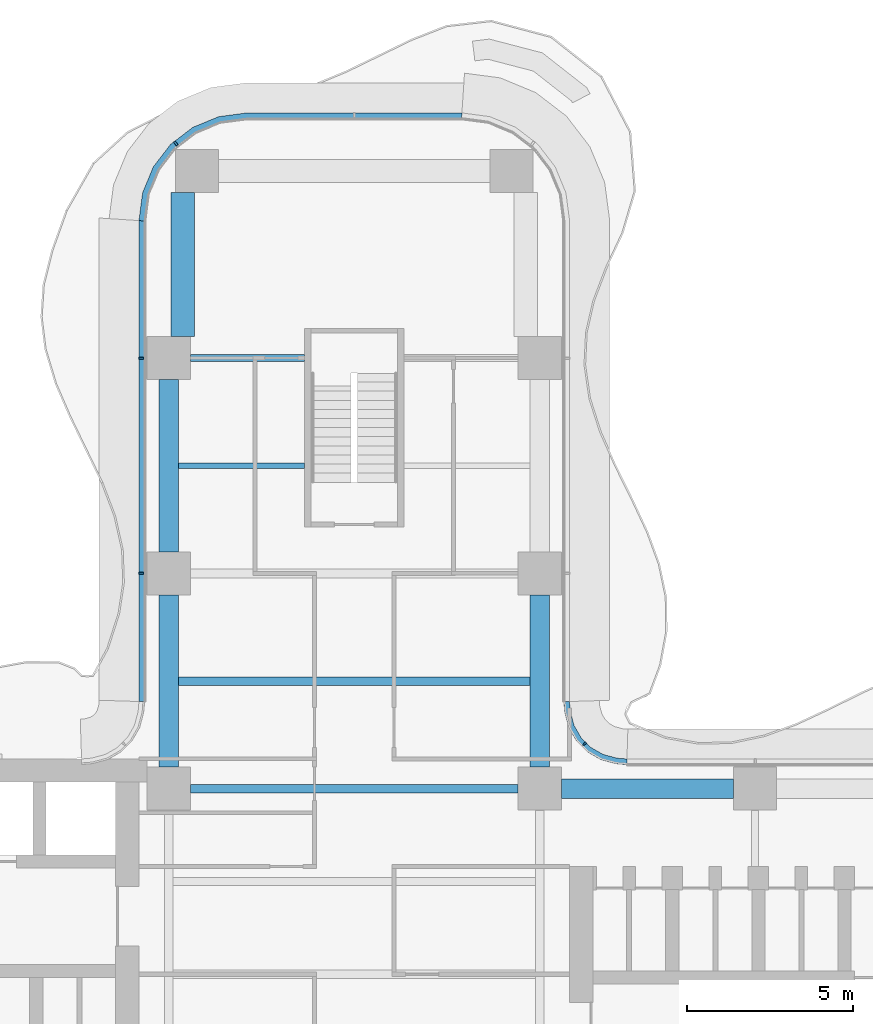
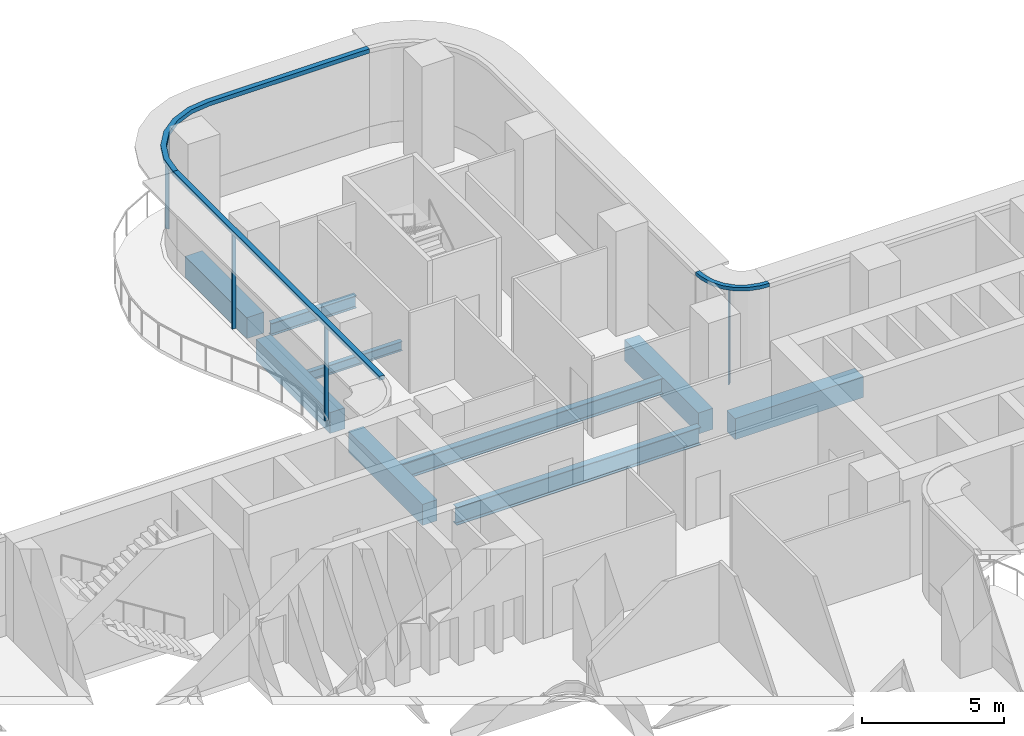
# One storey, part 9 of 21: 9 beams, 7 members, 3 elements without a shape of their own.
"""IFC4 building model written with IfcOpenShell, lengths in metres."""

from ifc_helpers import new_model, si_unit, direction, frame, origin, origin_2d, place, context, subcontext, project, spatial, polyline, rectangle, i_section, outline, extrude, source, transform, mapped, material, layer, layer_set, material_profile, profile_set, type_object, element, aggregate, save


model = new_model("IFC4")

# Units and contexts
model_context = context("Model", 3, precision=1e-05, world=origin(), true_north=direction((0.0, 1.0)))
body_context = subcontext(model_context, "Body", "Model", "MODEL_VIEW")
ifc_project = project(units=[si_unit("LENGTHUNIT", "METRE"), si_unit("AREAUNIT", "SQUARE_METRE"), si_unit("VOLUMEUNIT", "CUBIC_METRE"), si_unit("PLANEANGLEUNIT", "RADIAN"), si_unit("MASSUNIT", "GRAM", prefix="KILO")], contexts=[model_context])

# Site, building, storey
site_placement = place(None, origin())
site = spatial("IfcSite", under=ifc_project, at=site_placement, CompositionType="ELEMENT")
building_placement = place(site_placement, origin())
building = spatial("IfcBuilding", under=site, at=building_placement, Name="Trellis Farm Tower", CompositionType="ELEMENT")
storey_placement = place(building_placement, frame((0.0, 0.0, 115.5)))
storey = spatial("IfcBuildingStorey", under=building, at=storey_placement, Name="L24", CompositionType="ELEMENT", Elevation=115.5)

# Beams
ifc_material_1 = material(Name="Steel S355", Category="steel")
ifc_material_profile_1 = material_profile(ifc_material_1, i_section(OverallWidth=0.177978515625, OverallDepth=0.406494140625, WebThickness=0.0078125, FlangeThickness=0.0126953125, FilletRadius=0.01025390625, at=origin_2d()), Name="UB 406x178x60")
ifc_profile_set_1 = profile_set([ifc_material_profile_1], Name="Steel S355")
beam_type_1 = type_object("IfcBeamType", Name="UB 406x178x60 joist", PredefinedType="JOIST", material=ifc_profile_set_1)
shared_shape_1 = source(origin(), body_context, "Body", "SweptSolid", [
    extrude(i_section(OverallWidth=0.177978515625, OverallDepth=0.406494140625, WebThickness=0.0078125, FlangeThickness=0.0126953125, FilletRadius=0.01025390625, at=origin_2d()), origin(), (0.0, 0.0, 1.0), 3.800048828125),
])
beam_1_placement = place(storey_placement, frame((-5.300048828125, 15.35009765625, -0.453125), z_axis=(1.0, 0.0, 0.0), x_axis=(0.0, 1.0, 0.0)))
element("IfcBeam", 1, at=beam_1_placement, inside=storey, type_object=beam_type_1, Name="Floor beam", PredefinedType="JOIST", context=body_context, shape_type="MappedRepresentation", body=[
    mapped(shared_shape_1, transform((0.0, 0.0, 0.0))),
])
ifc_material_profile_2 = material_profile(ifc_material_1, i_section(OverallWidth=0.253662109375, OverallDepth=0.68359375, WebThickness=0.012451171875, FlangeThickness=0.021728515625, FilletRadius=0.01513671875, at=origin_2d()), Name="UB 686x254x140")
ifc_profile_set_2 = profile_set([ifc_material_profile_2], Name="Steel S355")
beam_type_2 = type_object("IfcBeamType", Name="UB 686x254x140 joist", PredefinedType="JOIST", material=ifc_profile_set_2)
shared_shape_2 = source(origin(), body_context, "Body", "SweptSolid", [
    extrude(i_section(OverallWidth=0.253662109375, OverallDepth=0.68359375, WebThickness=0.012451171875, FlangeThickness=0.021728515625, FilletRadius=0.01513671875, at=origin_2d()), origin(), (0.0, 0.0, 1.0), 10.60009765625),
])
beam_2_placement = place(storey_placement, frame((-5.300048828125, 8.85009765625, -0.591796875), z_axis=(1.0, 0.0, 0.0), x_axis=(0.0, 1.0, 0.0)))
element("IfcBeam", 2, at=beam_2_placement, inside=storey, type_object=beam_type_2, Name="Floor beam", PredefinedType="JOIST", context=body_context, shape_type="MappedRepresentation", body=[
    mapped(shared_shape_2, transform((0.0, 0.0, 0.0))),
])
ifc_material_profile_3 = material_profile(ifc_material_1, i_section(OverallWidth=0.209228515625, OverallDepth=0.533203125, WebThickness=0.010009765625, FlangeThickness=0.015625, FilletRadius=0.0126953125, at=origin_2d()), Name="UB 533x210x92")
ifc_profile_set_3 = profile_set([ifc_material_profile_3], Name="Steel S355")
beam_type_3 = type_object("IfcBeamType", Name="UB 533x210x92", PredefinedType="BEAM", material=ifc_profile_set_3)
shared_shape_3 = source(origin(), body_context, "Body", "SweptSolid", [
    extrude(i_section(OverallWidth=0.209228515625, OverallDepth=0.533203125, WebThickness=0.010009765625, FlangeThickness=0.015625, FilletRadius=0.0126953125, at=origin_2d()), origin(), (0.0, 0.0, 1.0), 3.449951171875),
])
beam_3_placement = place(storey_placement, frame((-4.949951171875, 18.60009765625, -0.5166015625), z_axis=(1.0, 0.0, 0.0), x_axis=(0.0, 1.0, 0.0)))
element("IfcBeam", 3, at=beam_3_placement, inside=storey, type_object=beam_type_3, Name="Girder", PredefinedType="BEAM", context=body_context, shape_type="MappedRepresentation", body=[
    mapped(shared_shape_3, transform((0.0, 0.0, 0.0))),
])
ifc_material_profile_4 = material_profile(ifc_material_1, i_section(OverallWidth=0.2666015625, OverallDepth=0.76220703125, WebThickness=0.014404296875, FlangeThickness=0.021484375, FilletRadius=0.0166015625, at=origin_2d()), Name="UB 762x267x173")
ifc_profile_set_4 = profile_set([ifc_material_profile_4], Name="Steel S355")
beam_type_4 = type_object("IfcBeamType", Name="UB 762x267x173", PredefinedType="BEAM", material=ifc_profile_set_4)
shared_shape_4 = source(origin(), body_context, "Body", "SweptSolid", [
    extrude(i_section(OverallWidth=0.2666015625, OverallDepth=0.76220703125, WebThickness=0.014404296875, FlangeThickness=0.021484375, FilletRadius=0.0166015625, at=origin_2d()), origin(), (0.0, 0.0, 1.0), 9.89990234375),
])
beam_4_placement = place(storey_placement, frame((-4.949951171875, 5.60009765625, -0.631103515625), z_axis=(1.0, 0.0, 0.0), x_axis=(0.0, 1.0, 0.0)))
element("IfcBeam", 4, at=beam_4_placement, inside=storey, type_object=beam_type_4, Name="Girder", PredefinedType="BEAM", context=body_context, shape_type="MappedRepresentation", body=[
    mapped(shared_shape_4, transform((0.0, 0.0, 0.0))),
])
ifc_material_2 = material(Name="Concrete C60/75", Category="concrete")
ifc_material_profile_5 = material_profile(ifc_material_2, rectangle(XDim=0.60009765625, YDim=0.89990234375, at=origin_2d()), Name="RC spandrel beam 600x900 C60/75")
ifc_profile_set_5 = profile_set([ifc_material_profile_5], Name="Concrete C60/75")
beam_type_5 = type_object("IfcBeamType", Name="RC spandrel beam 600x900 C60/75", PredefinedType="SPANDREL", material=ifc_profile_set_5)
shared_shape_5 = source(origin(), body_context, "Body", "SweptSolid", [
    extrude(rectangle(XDim=0.60009765625, YDim=0.89990234375, at=origin_2d()), origin(), (0.0, 0.0, 1.0), 5.199951171875),
])
for number, where, z_axis, x_axis, name in (
    (5, (6.25, 5.60009765625, -0.699951171875), (1.0, 0.0, 0.0), (0.0, 1.0, 0.0), "Girder"),
    (6, (-5.60009765625, 6.25, -0.699951171875), (0.0, 1.0, 0.0), (-1.0, 0.0, 0.0), "Girder"),
    (7, (-5.60009765625, 12.75, -0.699951171875), (0.0, 1.0, 0.0), (-1.0, 0.0, 0.0), "Girder"),
    (8, (5.60009765625, 6.25, -0.699951171875), (0.0, 1.0, 0.0), (-1.0, 0.0, 0.0), "Girder"),
):
    element("IfcBeam", number, at=place(storey_placement, frame(where, z_axis=z_axis, x_axis=x_axis)), inside=storey, type_object=beam_type_5, Name=name, PredefinedType="SPANDREL", context=body_context, shape_type="MappedRepresentation", body=[
        mapped(shared_shape_5, transform((0.0, 0.0, 0.0))),
    ])
ifc_material_profile_6 = material_profile(ifc_material_2, rectangle(XDim=0.699951171875, YDim=0.89990234375, at=origin_2d()), Name="RC spandrel beam 700x900 C60/75")
ifc_profile_set_6 = profile_set([ifc_material_profile_6], Name="Concrete C60/75")
beam_type_6 = type_object("IfcBeamType", Name="RC spandrel beam 700x900 C60/75", PredefinedType="SPANDREL", material=ifc_profile_set_6)
shared_shape_6 = source(origin(), body_context, "Body", "SweptSolid", [
    extrude(rectangle(XDim=0.699951171875, YDim=0.89990234375, at=origin_2d()), origin(), (0.0, 0.0, 1.0), 4.35009765625),
])
beam_5_placement = place(storey_placement, frame((-5.175048828125, 19.25, -0.699951171875), z_axis=(0.0, 1.0, 0.0), x_axis=(-1.0, 0.0, 0.0)))
element("IfcBeam", 9, at=beam_5_placement, inside=storey, type_object=beam_type_6, Name="Girder", PredefinedType="SPANDREL", context=body_context, shape_type="MappedRepresentation", body=[
    mapped(shared_shape_6, transform((0.0, 0.0, 0.0))),
])

# Curtain wall, member
ifc_material_3 = material(Name="Aluminium and glass curtain wall", Category="aluminium")
ifc_layer_1 = layer(ifc_material_3, 0.18994140625)
ifc_layer_set_1 = layer_set([ifc_layer_1], Name="RIBBON CURTAIN WALL CW1")
curtain_wall_type_1 = type_object("IfcCurtainWallType", Name="RIBBON CURTAIN WALL CW1", PredefinedType="NOTDEFINED", material=ifc_layer_set_1)
placement_1 = place(storey_placement, origin())
curtain_wall_1 = element("IfcCurtainWall", 10, at=placement_1, inside=storey, type_object=curtain_wall_type_1, Name="CW1 010", PredefinedType="NOTDEFINED")
ifc_material_4 = material(Name="Aluminium extrusion 6063-T6", Category="aluminium")
ifc_material_profile_7 = material_profile(ifc_material_4, rectangle(XDim=0.06005859375, YDim=0.14990234375, at=origin_2d()), Name="MULLION 60x150")
ifc_profile_set_7 = profile_set([ifc_material_profile_7], Name="Aluminium extrusion 6063-T6")
member_type_1 = type_object("IfcMemberType", Name="CW1 MULLION 60x150", PredefinedType="MULLION", material=ifc_profile_set_7)
shared_shape_7 = source(origin(), body_context, "Body", "SweptSolid", [
    extrude(rectangle(XDim=0.06005859375, YDim=0.14990234375, at=origin_2d()), origin(), (0.0, 0.0, 1.0), 4.070068359375),
])
member_1_placement = place(storey_placement, frame((-5.385498046875, 25.078369140625, 0.0), z_axis=(0.0, 0.0, 1.0), x_axis=(-0.793353340291, -0.608761429009, 0.0)))
member_1 = element("IfcMember", 11, at=member_1_placement, type_object=member_type_1, Name="MU1 010-02", PredefinedType="MULLION", context=body_context, shape_type="MappedRepresentation", body=[
    mapped(shared_shape_7, transform((0.0, 0.0, 0.0))),
])

# Curtain wall, members
curtain_wall_2 = element("IfcCurtainWall", 12, at=placement_1, inside=storey, type_object=curtain_wall_type_1, Name="CW1 011", PredefinedType="NOTDEFINED")
member_2_placement = place(storey_placement, frame((-6.425048828125, 18.60009765625, 0.0), z_axis=(0.0, 0.0, 1.0), x_axis=(0.0, -1.0, 0.0)))
member_2 = element("IfcMember", 13, at=member_2_placement, type_object=member_type_1, Name="MU1 011-01", PredefinedType="MULLION", context=body_context, shape_type="MappedRepresentation", body=[
    mapped(shared_shape_7, transform((0.0, 0.0, 0.0))),
])
member_3_placement = place(storey_placement, frame((-6.425048828125, 12.10009765625, 0.0), z_axis=(0.0, 0.0, 1.0), x_axis=(0.0, -1.0, 0.0)))
member_3 = element("IfcMember", 14, at=member_3_placement, type_object=member_type_1, Name="MU1 011-02", PredefinedType="MULLION", context=body_context, shape_type="MappedRepresentation", body=[
    mapped(shared_shape_7, transform((0.0, 0.0, 0.0))),
])

ifc_layer_2 = layer(ifc_material_3, 0.166015625)
ifc_layer_set_2 = layer_set([ifc_layer_2], Name="WINTER GARDEN CURTAIN WALL CW3")
curtain_wall_type_2 = type_object("IfcCurtainWallType", Name="WINTER GARDEN CURTAIN WALL CW3", PredefinedType="NOTDEFINED", material=ifc_layer_set_2)
curtain_wall_3 = element("IfcCurtainWall", 15, at=placement_1, inside=storey, type_object=curtain_wall_type_2, Name="CW3 003", PredefinedType="NOTDEFINED")
ifc_material_profile_8 = material_profile(ifc_material_4, rectangle(XDim=0.050048828125, YDim=0.1201171875, at=origin_2d()), Name="MULLION 50x120")
ifc_profile_set_8 = profile_set([ifc_material_profile_8], Name="Aluminium extrusion 6063-T6")
member_type_2 = type_object("IfcMemberType", Name="CW3 MULLION 50x120", PredefinedType="MULLION", material=ifc_profile_set_8)
shared_shape_8 = source(origin(), body_context, "Body", "SweptSolid", [
    extrude(rectangle(XDim=0.050048828125, YDim=0.1201171875, at=origin_2d()), origin(), (0.0, 0.0, 1.0), 4.10009765625),
])
member_4_placement = place(storey_placement, frame((6.953125, 6.953125, 0.0), z_axis=(0.0, 0.0, 1.0), x_axis=(-0.707106781187, 0.707106781187, 0.0)))
member_4 = element("IfcMember", 16, at=member_4_placement, type_object=member_type_2, Name="MU3 003-01", PredefinedType="MULLION", context=body_context, shape_type="MappedRepresentation", body=[
    mapped(shared_shape_8, transform((0.0, 0.0, 0.0))),
])
ifc_layer_3 = layer(ifc_material_4, 0.169921875)
ifc_layer_set_3 = layer_set([ifc_layer_3], Name="Aluminium extrusion 6063-T6")
member_type_3 = type_object("IfcMemberType", Name="CW3 TRANSOM 170x150", PredefinedType="USERDEFINED", material=ifc_layer_set_3)
shared_shape_9 = source(origin(), body_context, "Body", "SweptSolid", [
    extrude(outline(polyline([(8.2314453125, 6.5), (8.01953125, 6.513916015625), (7.91552734375, 6.527587890625), (7.508544921875, 6.63671875), (7.144287109375, 6.846923828125), (6.846923828125, 7.144287109375), (6.63671875, 7.508544921875), (6.527587890625, 7.91552734375), (6.513916015625, 8.01953125), (6.5, 8.2314453125), (6.330078125, 8.225830078125), (6.3447265625, 8.0029296875), (6.360595703125, 7.88232421875), (6.478271484375, 7.44287109375), (6.7109375, 7.0400390625), (7.0400390625, 6.7109375), (7.44287109375, 6.478271484375), (7.88232421875, 6.360595703125), (8.0029296875, 6.3447265625), (8.225830078125, 6.330078125), (8.2314453125, 6.5)])), origin(), (0.0, 0.0, 1.0), 0.14990234375),
])
member_5_placement = place(storey_placement, frame((0.0, 0.0, 4.10009765625)))
member_5 = element("IfcMember", 17, at=member_5_placement, type_object=member_type_3, Name="TR3 003", ObjectType="TRANSOM", PredefinedType="USERDEFINED", context=body_context, shape_type="MappedRepresentation", body=[
    mapped(shared_shape_9, transform((0.0, 0.0, 0.0))),
])
aggregate(curtain_wall_3, [member_4, member_5])

# Member
ifc_layer_4 = layer(ifc_material_4, 0.199951171875)
ifc_layer_set_4 = layer_set([ifc_layer_4], Name="Aluminium extrusion 6063-T6")
member_type_4 = type_object("IfcMemberType", Name="CW1 TRANSOM 200x180", PredefinedType="USERDEFINED", material=ifc_layer_set_4)
shared_shape_10 = source(origin(), body_context, "Body", "SweptSolid", [
    extrude(outline(polyline([(-6.5, 22.75), (-6.5, 8.2314453125), (-6.300048828125, 8.224853515625), (-6.300048828125, 22.73681640625), (-6.5, 22.75)])), origin(), (0.0, 0.0, 1.0), 0.179931640625),
])
placement_2 = place(storey_placement, frame((0.0, 0.0, 4.070068359375)))
member_6 = element("IfcMember", 18, at=placement_2, type_object=member_type_4, Name="TR1 011", ObjectType="TRANSOM", PredefinedType="USERDEFINED", context=body_context, shape_type="MappedRepresentation", body=[
    mapped(shared_shape_10, transform((0.0, 0.0, 0.0))),
])

aggregate(curtain_wall_2, [member_2, member_3, member_6])

shared_shape_11 = source(origin(), body_context, "Body", "SweptSolid", [
    extrude(outline(polyline([(3.25, 26.0), (-3.25, 26.0), (-4.091064453125, 25.88916015625), (-4.875, 25.564697265625), (-5.548095703125, 25.048095703125), (-6.064697265625, 24.375), (-6.38916015625, 23.591064453125), (-6.5, 22.75), (-6.300048828125, 22.73681640625), (-6.1943359375, 23.5390625), (-5.889892578125, 24.274169921875), (-5.405517578125, 24.905517578125), (-4.774169921875, 25.389892578125), (-4.0390625, 25.6943359375), (-3.23681640625, 25.800048828125), (3.23681640625, 25.800048828125), (3.25, 26.0)])), origin(), (0.0, 0.0, 1.0), 0.179931640625),
])
member_7 = element("IfcMember", 19, at=placement_2, type_object=member_type_4, Name="TR1 010", ObjectType="TRANSOM", PredefinedType="USERDEFINED", context=body_context, shape_type="MappedRepresentation", body=[
    mapped(shared_shape_11, transform((0.0, 0.0, 0.0))),
])

aggregate(curtain_wall_1, [member_1, member_7])

save(model, "model.ifc")
